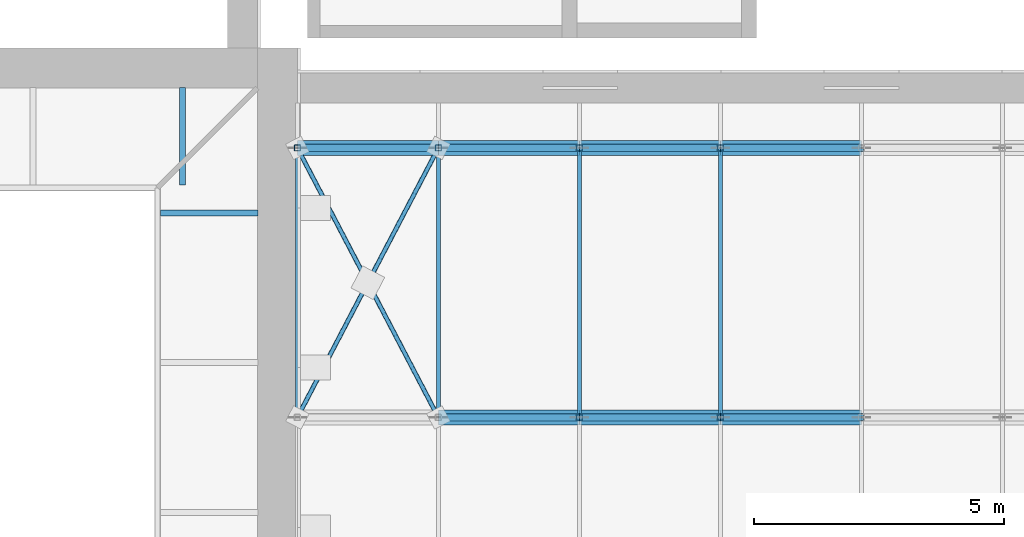
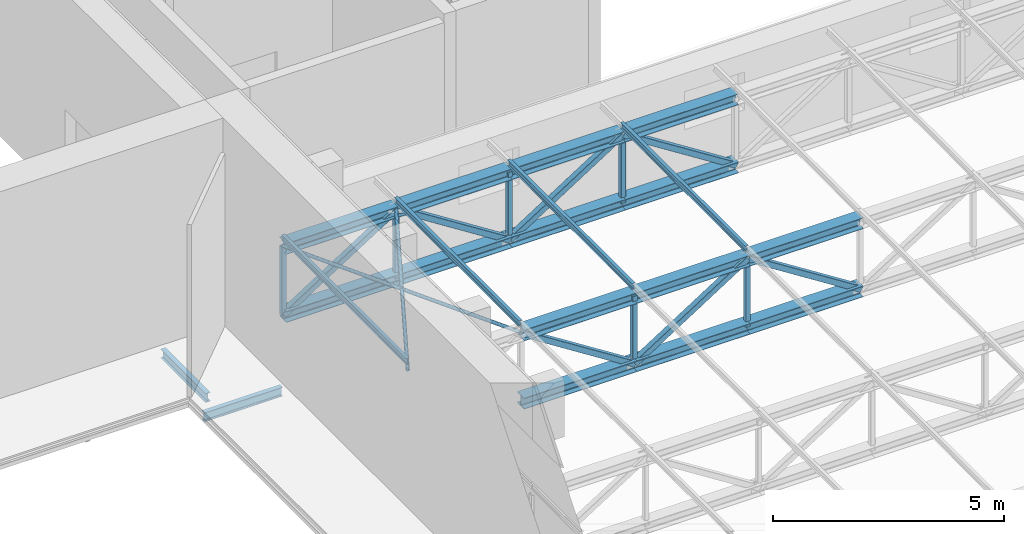
# One storey, part 41 of 132: 36 members.
"""IFC4 building model written with IfcOpenShell, lengths in metres."""

from ifc_helpers import new_model, si_unit, direction, frame, origin, origin_2d, place, context, subcontext, project, spatial, hollow_rectangle, hollow_circle, i_section, extrude, material, material_profile, profile_set, type_object, element, save


model = new_model("IFC4")

# Units and contexts
model_context = context("Model", 3, precision=1e-05, world=origin(), true_north=direction((0.0, 1.0)))
body_context = subcontext(model_context, "Body", "Model", "MODEL_VIEW")
ifc_project = project(units=[si_unit("LENGTHUNIT", "METRE"), si_unit("AREAUNIT", "SQUARE_METRE"), si_unit("VOLUMEUNIT", "CUBIC_METRE"), si_unit("PLANEANGLEUNIT", "RADIAN"), si_unit("MASSUNIT", "GRAM", prefix="KILO")], contexts=[model_context])

# Site, building, storey
site_placement = place(None, origin())
site = spatial("IfcSite", under=ifc_project, at=site_placement, CompositionType="ELEMENT")
building_placement = place(site_placement, origin())
building = spatial("IfcBuilding", under=site, at=building_placement, Name="Lunette Opera House", CompositionType="ELEMENT")
storey_placement = place(building_placement, frame((0.0, 0.0, 17.0)))
storey = spatial("IfcBuildingStorey", under=building, at=storey_placement, Name="L03", CompositionType="ELEMENT", Elevation=17.0)

# Members
ifc_material_1 = material(Name="Steel S355", Category="steel")
ifc_material_profile_1 = material_profile(ifc_material_1, hollow_circle(Radius=0.04443359375, WallThickness=0.00390625, at=origin_2d()), Name="CHS 88.9X4")
ifc_profile_set_1 = profile_set([ifc_material_profile_1], Name="Steel S355")
member_type_1 = type_object("IfcMemberType", Name="BRACING CHS 88.9X4", PredefinedType="BRACE", material=ifc_profile_set_1)
member_1_placement = place(storey_placement, frame((108.800048828125, 113.39990234375, 2.574951171875), z_axis=(0.463530915667, 0.886080747009, 0.0), x_axis=(-0.886080747009, 0.463530915667, 0.0)))
element("IfcMember", 1, at=member_1_placement, inside=storey, type_object=member_type_1, Name="mem-ST-L03-SE-TR-BRQ4P1A", PredefinedType="BRACE", context=body_context, shape_type="SweptSolid", body=[
    extrude(hollow_circle(Radius=0.04443359375, WallThickness=0.00390625, at=origin_2d()), origin(), (0.0, 0.0, 1.0), 6.094482421875),
])
member_2_placement = place(storey_placement, frame((111.625, 113.39990234375, 2.574951171875), z_axis=(-0.463420098911, 0.88613870919, 0.0), x_axis=(-0.88613870919, -0.463420098911, 0.0)))
element("IfcMember", 2, at=member_2_placement, inside=storey, type_object=member_type_1, Name="mem-ST-L03-SE-TR-BRQ4P1B segment 1", PredefinedType="BRACE", context=body_context, shape_type="SweptSolid", body=[
    extrude(hollow_circle(Radius=0.04443359375, WallThickness=0.00390625, at=origin_2d()), origin(), (0.0, 0.0, 1.0), 3.047119140625),
])
member_3_placement = place(storey_placement, frame((110.212890625, 116.10009765625, 2.574951171875), z_axis=(-0.463641720695, 0.886022773314, 0.0), x_axis=(-0.886022773314, -0.463641720695, 0.0)))
element("IfcMember", 3, at=member_3_placement, inside=storey, type_object=member_type_1, Name="mem-ST-L03-SE-TR-BRQ4P1B segment 2", PredefinedType="BRACE", context=body_context, shape_type="SweptSolid", body=[
    extrude(hollow_circle(Radius=0.04443359375, WallThickness=0.00390625, at=origin_2d()), origin(), (0.0, 0.0, 1.0), 3.04736328125),
])
ifc_material_2 = material(Name="Steel S355", Category="steel")
ifc_material_profile_2 = material_profile(ifc_material_2, i_section(OverallWidth=0.1201171875, OverallDepth=0.239990234375, WebThickness=0.006103515625, FlangeThickness=0.009765625, FilletRadius=0.014892578125, at=origin_2d()), Name="IPE 240")
ifc_profile_set_2 = profile_set([ifc_material_profile_2], Name="Steel S355")
member_type_2 = type_object("IfcMemberType", Name="BRACKET IPE 240", PredefinedType="MEMBER", material=ifc_profile_set_2)
for number, where, z_axis, x_axis, name in (
    (4, (106.5, 120.010009765625, -0.179931640625), (0.0, -1.0, 0.0), (1.0, 0.0, 0.0), "mem-ST-L03-FG2-BKN1065-1200"),
    (5, (108.010009765625, 117.5, -0.179931640625), (-1.0, 0.0, 0.0), (0.0, -1.0, 0.0), "mem-ST-L03-FG2-BKE1080-1175"),
):
    element("IfcMember", number, at=place(storey_placement, frame(where, z_axis=z_axis, x_axis=x_axis)), inside=storey, type_object=member_type_2, Name=name, PredefinedType="MEMBER", context=body_context, shape_type="SweptSolid", body=[
        extrude(i_section(OverallWidth=0.1201171875, OverallDepth=0.239990234375, WebThickness=0.006103515625, FlangeThickness=0.009765625, FilletRadius=0.014892578125, at=origin_2d()), origin(), (0.0, 0.0, 1.0), 1.949951171875),
    ])
ifc_material_3 = material(Name="Steel S355", Category="steel")
ifc_material_profile_3 = material_profile(ifc_material_3, i_section(OverallWidth=0.300048828125, OverallDepth=0.2900390625, WebThickness=0.008544921875, FlangeThickness=0.013916015625, FilletRadius=0.027099609375, at=origin_2d()), Name="HEA 300")
ifc_profile_set_3 = profile_set([ifc_material_profile_3], Name="Steel S355")
member_type_3 = type_object("IfcMemberType", Name="CHORD HEA 300", PredefinedType="CHORD", material=ifc_profile_set_3)
for number, where, z_axis, x_axis, name in (
    (6, (111.625, 113.39990234375, 2.574951171875), (1.0, 0.0, 0.0), (0.0, 1.0, 0.0), "mem-ST-L03-SE-TR04-TC2"),
    (7, (111.625, 113.39990234375, 0.77490234375), (1.0, 0.0, 0.0), (0.0, 1.0, 0.0), "mem-ST-L03-SE-TR04-BC2"),
    (8, (114.449951171875, 113.39990234375, 2.574951171875), (1.0, 0.0, 0.0), (0.0, 1.0, 0.0), "mem-ST-L03-SE-TR04-TC3"),
    (9, (114.449951171875, 113.39990234375, 0.77490234375), (1.0, 0.0, 0.0), (0.0, 1.0, 0.0), "mem-ST-L03-SE-TR04-BC3"),
):
    element("IfcMember", number, at=place(storey_placement, frame(where, z_axis=z_axis, x_axis=x_axis)), inside=storey, type_object=member_type_3, Name=name, PredefinedType="CHORD", context=body_context, shape_type="SweptSolid", body=[
        extrude(i_section(OverallWidth=0.300048828125, OverallDepth=0.2900390625, WebThickness=0.008544921875, FlangeThickness=0.013916015625, FilletRadius=0.027099609375, at=origin_2d()), origin(), (0.0, 0.0, 1.0), 2.824951171875),
    ])
for number, where, z_axis, x_axis, name in (
    (10, (117.27490234375, 113.39990234375, 2.574951171875), (1.0, 0.0, 0.0), (0.0, 1.0, 0.0), "mem-ST-L03-SE-TR04-TC4"),
    (11, (117.27490234375, 113.39990234375, 0.77490234375), (1.0, 0.0, 0.0), (0.0, 1.0, 0.0), "mem-ST-L03-SE-TR04-BC4"),
):
    element("IfcMember", number, at=place(storey_placement, frame(where, z_axis=z_axis, x_axis=x_axis)), inside=storey, type_object=member_type_3, Name=name, PredefinedType="CHORD", context=body_context, shape_type="SweptSolid", body=[
        extrude(i_section(OverallWidth=0.300048828125, OverallDepth=0.2900390625, WebThickness=0.008544921875, FlangeThickness=0.013916015625, FilletRadius=0.027099609375, at=origin_2d()), origin(), (0.0, 0.0, 1.0), 2.8251953125),
    ])
for number, where, z_axis, x_axis, name in (
    (12, (108.800048828125, 118.800048828125, 2.574951171875), (1.0, 0.0, 0.0), (0.0, 1.0, 0.0), "mem-ST-L03-SE-TR05-TC1"),
    (13, (108.800048828125, 118.800048828125, 0.77490234375), (1.0, 0.0, 0.0), (0.0, 1.0, 0.0), "mem-ST-L03-SE-TR05-BC1"),
    (14, (111.625, 118.800048828125, 2.574951171875), (1.0, 0.0, 0.0), (0.0, 1.0, 0.0), "mem-ST-L03-SE-TR05-TC2"),
    (15, (111.625, 118.800048828125, 0.77490234375), (1.0, 0.0, 0.0), (0.0, 1.0, 0.0), "mem-ST-L03-SE-TR05-BC2"),
    (16, (114.449951171875, 118.800048828125, 2.574951171875), (1.0, 0.0, 0.0), (0.0, 1.0, 0.0), "mem-ST-L03-SE-TR05-TC3"),
    (17, (114.449951171875, 118.800048828125, 0.77490234375), (1.0, 0.0, 0.0), (0.0, 1.0, 0.0), "mem-ST-L03-SE-TR05-BC3"),
):
    element("IfcMember", number, at=place(storey_placement, frame(where, z_axis=z_axis, x_axis=x_axis)), inside=storey, type_object=member_type_3, Name=name, PredefinedType="CHORD", context=body_context, shape_type="SweptSolid", body=[
        extrude(i_section(OverallWidth=0.300048828125, OverallDepth=0.2900390625, WebThickness=0.008544921875, FlangeThickness=0.013916015625, FilletRadius=0.027099609375, at=origin_2d()), origin(), (0.0, 0.0, 1.0), 2.824951171875),
    ])
for number, where, z_axis, x_axis, name in (
    (18, (117.27490234375, 118.800048828125, 2.574951171875), (1.0, 0.0, 0.0), (0.0, 1.0, 0.0), "mem-ST-L03-SE-TR05-TC4"),
    (19, (117.27490234375, 118.800048828125, 0.77490234375), (1.0, 0.0, 0.0), (0.0, 1.0, 0.0), "mem-ST-L03-SE-TR05-BC4"),
):
    element("IfcMember", number, at=place(storey_placement, frame(where, z_axis=z_axis, x_axis=x_axis)), inside=storey, type_object=member_type_3, Name=name, PredefinedType="CHORD", context=body_context, shape_type="SweptSolid", body=[
        extrude(i_section(OverallWidth=0.300048828125, OverallDepth=0.2900390625, WebThickness=0.008544921875, FlangeThickness=0.013916015625, FilletRadius=0.027099609375, at=origin_2d()), origin(), (0.0, 0.0, 1.0), 2.8251953125),
    ])
ifc_material_4 = material(Name="Steel S355", Category="steel")
ifc_material_profile_4 = material_profile(ifc_material_4, hollow_rectangle(XDim=0.14990234375, YDim=0.14990234375, WallThickness=0.006103515625, InnerFilletRadius=0.006103515625, OuterFilletRadius=0.011962890625, at=origin_2d()), Name="RHS 150X150X6")
ifc_profile_set_4 = profile_set([ifc_material_profile_4], Name="Steel S355")
member_type_4 = type_object("IfcMemberType", Name="DIAGONAL RHS 150X150X6", PredefinedType="BRACE", material=ifc_profile_set_4)
for number, where, z_axis, x_axis, name in (
    (20, (111.625, 113.39990234375, 2.574951171875), (0.843343221477, 0.0, -0.537375297896), (0.0, 1.0, 0.0), "mem-ST-L03-SE-TR04-TD2"),
    (21, (114.449951171875, 113.39990234375, 0.77490234375), (0.843343221477, 0.0, 0.537375297896), (0.0, 1.0, 0.0), "mem-ST-L03-SE-TR04-TD3"),
):
    element("IfcMember", number, at=place(storey_placement, frame(where, z_axis=z_axis, x_axis=x_axis)), inside=storey, type_object=member_type_4, Name=name, PredefinedType="BRACE", context=body_context, shape_type="SweptSolid", body=[
        extrude(hollow_rectangle(XDim=0.14990234375, YDim=0.14990234375, WallThickness=0.006103515625, InnerFilletRadius=0.006103515625, OuterFilletRadius=0.011962890625, at=origin_2d()), origin(), (0.0, 0.0, 1.0), 3.349609375),
    ])
member_4_placement = place(storey_placement, frame((117.27490234375, 113.39990234375, 2.574951171875), z_axis=(0.843364266472, 0.0, -0.537342268985), x_axis=(0.0, 1.0, 0.0)))
element("IfcMember", 22, at=member_4_placement, inside=storey, type_object=member_type_4, Name="mem-ST-L03-SE-TR04-TD4", PredefinedType="BRACE", context=body_context, shape_type="SweptSolid", body=[
    extrude(hollow_rectangle(XDim=0.14990234375, YDim=0.14990234375, WallThickness=0.006103515625, InnerFilletRadius=0.006103515625, OuterFilletRadius=0.011962890625, at=origin_2d()), origin(), (0.0, 0.0, 1.0), 3.349853515625),
])
for number, where, z_axis, x_axis, name in (
    (23, (108.800048828125, 118.800048828125, 0.77490234375), (0.843343221477, 0.0, 0.537375297896), (0.0, 1.0, 0.0), "mem-ST-L03-SE-TR05-TD1"),
    (24, (111.625, 118.800048828125, 2.574951171875), (0.843343221477, 0.0, -0.537375297896), (0.0, 1.0, 0.0), "mem-ST-L03-SE-TR05-TD2"),
    (25, (114.449951171875, 118.800048828125, 0.77490234375), (0.843343221477, 0.0, 0.537375297896), (0.0, 1.0, 0.0), "mem-ST-L03-SE-TR05-TD3"),
):
    element("IfcMember", number, at=place(storey_placement, frame(where, z_axis=z_axis, x_axis=x_axis)), inside=storey, type_object=member_type_4, Name=name, PredefinedType="BRACE", context=body_context, shape_type="SweptSolid", body=[
        extrude(hollow_rectangle(XDim=0.14990234375, YDim=0.14990234375, WallThickness=0.006103515625, InnerFilletRadius=0.006103515625, OuterFilletRadius=0.011962890625, at=origin_2d()), origin(), (0.0, 0.0, 1.0), 3.349609375),
    ])
member_5_placement = place(storey_placement, frame((117.27490234375, 118.800048828125, 2.574951171875), z_axis=(0.843364266472, 0.0, -0.537342268985), x_axis=(0.0, 1.0, 0.0)))
element("IfcMember", 26, at=member_5_placement, inside=storey, type_object=member_type_4, Name="mem-ST-L03-SE-TR05-TD4", PredefinedType="BRACE", context=body_context, shape_type="SweptSolid", body=[
    extrude(hollow_rectangle(XDim=0.14990234375, YDim=0.14990234375, WallThickness=0.006103515625, InnerFilletRadius=0.006103515625, OuterFilletRadius=0.011962890625, at=origin_2d()), origin(), (0.0, 0.0, 1.0), 3.349853515625),
])
ifc_material_5 = material(Name="Steel S355", Category="steel")
ifc_material_profile_5 = material_profile(ifc_material_5, i_section(OverallWidth=0.08203125, OverallDepth=0.159912109375, WebThickness=0.0048828125, FlangeThickness=0.00732421875, FilletRadius=0.009033203125, at=origin_2d()), Name="IPE 160")
ifc_profile_set_5 = profile_set([ifc_material_profile_5], Name="Steel S355")
member_type_5 = type_object("IfcMemberType", Name="PURLIN IPE 160", PredefinedType="PURLIN", material=ifc_profile_set_5)
for number, where, z_axis, x_axis, name in (
    (27, (108.800048828125, 113.39990234375, 2.800048828125), (0.0, 1.0, 0.0), (-1.0, 0.0, 0.0), "mem-ST-L03-SE-TR-PU1-5"),
    (28, (111.625, 113.39990234375, 2.800048828125), (0.0, 1.0, 0.0), (-1.0, 0.0, 0.0), "mem-ST-L03-SE-TR-PU2-5"),
    (29, (114.449951171875, 113.39990234375, 2.800048828125), (0.0, 1.0, 0.0), (-1.0, 0.0, 0.0), "mem-ST-L03-SE-TR-PU3-5"),
    (30, (117.27490234375, 113.39990234375, 2.800048828125), (0.0, 1.0, 0.0), (-1.0, 0.0, 0.0), "mem-ST-L03-SE-TR-PU4-5"),
):
    element("IfcMember", number, at=place(storey_placement, frame(where, z_axis=z_axis, x_axis=x_axis)), inside=storey, type_object=member_type_5, Name=name, PredefinedType="PURLIN", context=body_context, shape_type="SweptSolid", body=[
        extrude(i_section(OverallWidth=0.08203125, OverallDepth=0.159912109375, WebThickness=0.0048828125, FlangeThickness=0.00732421875, FilletRadius=0.009033203125, at=origin_2d()), origin(), (0.0, 0.0, 1.0), 5.400146484375),
    ])
ifc_material_6 = material(Name="Steel S355", Category="steel")
ifc_material_profile_6 = material_profile(ifc_material_6, hollow_rectangle(XDim=0.1201171875, YDim=0.1201171875, WallThickness=0.0048828125, InnerFilletRadius=0.0048828125, OuterFilletRadius=0.010009765625, at=origin_2d()), Name="RHS 120X120X5")
ifc_profile_set_6 = profile_set([ifc_material_profile_6], Name="Steel S355")
member_type_6 = type_object("IfcMemberType", Name="VERTICAL RHS 120X120X5", PredefinedType="POST", material=ifc_profile_set_6)
for number, where, z_axis, x_axis, name in (
    (31, (114.449951171875, 113.39990234375, 0.77490234375), (0.0, 0.0, 1.0), (1.0, 0.0, 0.0), "mem-ST-L03-SE-TR04-TV3"),
    (32, (117.27490234375, 113.39990234375, 0.77490234375), (0.0, 0.0, 1.0), (1.0, 0.0, 0.0), "mem-ST-L03-SE-TR04-TV4"),
    (33, (108.800048828125, 118.800048828125, 0.77490234375), (0.0, 0.0, 1.0), (1.0, 0.0, 0.0), "mem-ST-L03-SE-TR05-TV1"),
    (34, (111.625, 118.800048828125, 0.77490234375), (0.0, 0.0, 1.0), (1.0, 0.0, 0.0), "mem-ST-L03-SE-TR05-TV2"),
    (35, (114.449951171875, 118.800048828125, 0.77490234375), (0.0, 0.0, 1.0), (1.0, 0.0, 0.0), "mem-ST-L03-SE-TR05-TV3"),
    (36, (117.27490234375, 118.800048828125, 0.77490234375), (0.0, 0.0, 1.0), (1.0, 0.0, 0.0), "mem-ST-L03-SE-TR05-TV4"),
):
    element("IfcMember", number, at=place(storey_placement, frame(where, z_axis=z_axis, x_axis=x_axis)), inside=storey, type_object=member_type_6, Name=name, PredefinedType="POST", context=body_context, shape_type="SweptSolid", body=[
        extrude(hollow_rectangle(XDim=0.1201171875, YDim=0.1201171875, WallThickness=0.0048828125, InnerFilletRadius=0.0048828125, OuterFilletRadius=0.010009765625, at=origin_2d()), origin(), (0.0, 0.0, 1.0), 1.800048828125),
    ])

save(model, "model.ifc")
